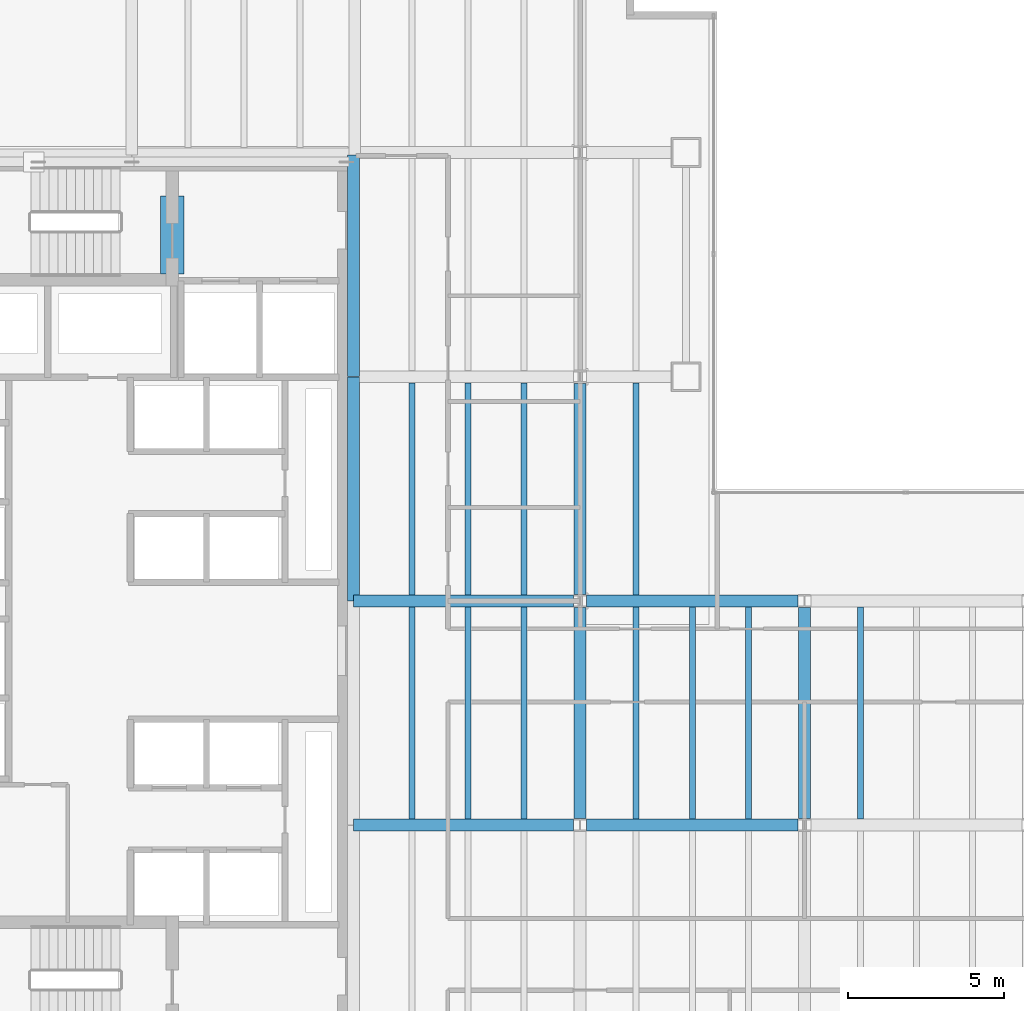
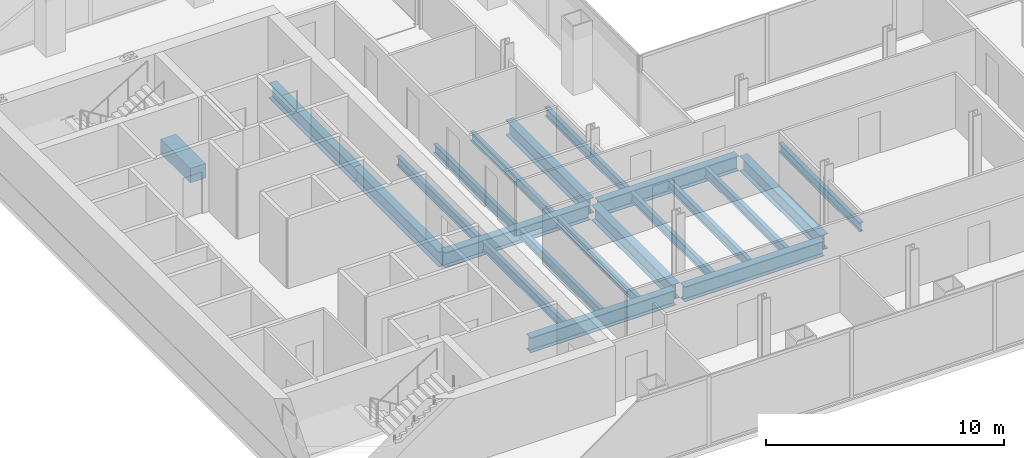
# One storey, part 6 of 23: 21 beams.
"""IFC4 building model written with IfcOpenShell, lengths in metres."""

import ifcopenshell
import ifcopenshell.guid

model = None  # the IFC model being written
_history = None  # IfcOwnerHistory: only IFC2X3 demands one
_inside = {}  # id of a spatial element -> (the spatial element, [elements in it])
_under = {}  # id of a project, library or spatial element -> (it, [spatial elements below it])
_declared = {}  # id of a project -> (the project, [libraries it declares])
_typed = {}  # id of a type object -> (the type object, [elements of that type])
_made_of = {}  # id of a material, layer set ... -> (it, [elements and type objects made of it])


def new_model(schema):
    """Start an empty IFC model of exactly this schema.

    Asked for "IFC4X3", IfcOpenShell would pick the latest addendum, in which some entities
    have other attributes; the version numbers below select the first issue.
    IFC2X3 requires an IfcOwnerHistory on every rooted entity: one is made here for all.
    """
    global model, _history
    if schema == "IFC4X3":
        model = ifcopenshell.file(schema_version=(4, 3, 0, 0))
    else:
        model = ifcopenshell.file(schema=schema)
    _inside.clear()
    _under.clear()
    _declared.clear()
    _typed.clear()
    _made_of.clear()
    _history = None
    if model.schema == "IFC2X3":
        org = make("IfcOrganization", Name="unknown")
        user = make(
            "IfcPersonAndOrganization",
            ThePerson=make("IfcPerson", FamilyName="unknown"),
            TheOrganization=org,
        )
        app = make(
            "IfcApplication",
            ApplicationDeveloper=org,
            Version="unknown",
            ApplicationFullName="unknown",
            ApplicationIdentifier="unknown",
        )
        _history = make(
            "IfcOwnerHistory",
            OwningUser=user,
            OwningApplication=app,
            ChangeAction="ADDED",
            CreationDate=0,
        )
    return model


def make(cls, **values):
    """One entity of the class cls with the attributes given. An attribute that is None is left unset."""
    return model.create_entity(
        cls, **{name: value for name, value in values.items() if value is not None}
    )


def rooted(cls, **values):
    """An entity with a GlobalId (a new one), such as an element, a storey or a relation."""
    return make(cls, GlobalId=ifcopenshell.guid.new(), OwnerHistory=_history, **values)


def si_unit(unit_type, name, prefix=None):
    """IfcSIUnit, for example si_unit("LENGTHUNIT", "METRE", prefix="MILLI")."""
    return make("IfcSIUnit", UnitType=unit_type, Prefix=prefix, Name=name)


def assignment(units):
    """IfcUnitAssignment: the units of a project."""
    return None if units is None else make("IfcUnitAssignment", Units=units)


def point(xyz):
    """IfcCartesianPoint."""
    return None if xyz is None else make("IfcCartesianPoint", Coordinates=xyz)


def direction(xyz):
    """IfcDirection."""
    return None if xyz is None else make("IfcDirection", DirectionRatios=xyz)


def frame(location, z_axis=None, x_axis=None):
    """IfcAxis2Placement3D, a coordinate frame: its origin and axes. An axis left out is left unset."""
    return make(
        "IfcAxis2Placement3D",
        Location=point(location),
        Axis=direction(z_axis),
        RefDirection=direction(x_axis),
    )


def frame_2d(location, x_axis=None):
    """IfcAxis2Placement2D, a coordinate frame in the plane: its origin and x axis."""
    return make(
        "IfcAxis2Placement2D", Location=point(location), RefDirection=direction(x_axis)
    )


def origin():
    """The frame at (0, 0, 0) with its axes left unset."""
    return frame((0.0, 0.0, 0.0))


def origin_2d():
    """The frame at (0, 0) in the plane with its x axis left unset."""
    return frame_2d((0.0, 0.0))


def place(relative_to, where):
    """IfcLocalPlacement: puts the frame where relative to a parent placement (None: the world)."""
    return make(
        "IfcLocalPlacement", PlacementRelTo=relative_to, RelativePlacement=where
    )


def context(
    kind, dimensions, precision=None, world=None, true_north=None, identifier=None
):
    """IfcGeometricRepresentationContext, for example the 3D "Model" context."""
    return make(
        "IfcGeometricRepresentationContext",
        ContextIdentifier=identifier,
        ContextType=kind,
        CoordinateSpaceDimension=dimensions,
        Precision=precision,
        WorldCoordinateSystem=world,
        TrueNorth=true_north,
    )


def subcontext(parent, identifier, kind, view, scale=None):
    """IfcGeometricRepresentationSubContext, for example "Body" below "Model"."""
    return make(
        "IfcGeometricRepresentationSubContext",
        ContextIdentifier=identifier,
        ContextType=kind,
        ParentContext=parent,
        TargetScale=scale,
        TargetView=view,
    )


def project(units=None, contexts=None):
    """IfcProject with its units and contexts."""
    return rooted(
        "IfcProject",
        Name="project",
        RepresentationContexts=contexts,
        UnitsInContext=assignment(units),
    )


def spatial(cls, under=None, at=None, **own):
    """A site, building, storey or space (cls), placed at a placement, below another one or the project."""
    s = rooted(cls, ObjectPlacement=at, **own)
    if under is not None:
        _under.setdefault(under.id(), (under, []))[1].append(s)
    return s


def profile(cls, at=None, kind="AREA", **sizes):
    """A parametric profile (cls). Its sizes go by their IFC names, for example OverallWidth=200.0."""
    return make(cls, ProfileType=kind, Position=at, **sizes)


def rectangle(**sizes):
    """IfcRectangleProfileDef."""
    return profile("IfcRectangleProfileDef", **sizes)


def i_section(**sizes):
    """IfcIShapeProfileDef."""
    return profile("IfcIShapeProfileDef", **sizes)


def extrude(swept, where, along, depth):
    """IfcExtrudedAreaSolid: the profile swept, set in the frame where, extruded along a direction by depth."""
    return make(
        "IfcExtrudedAreaSolid",
        SweptArea=swept,
        Position=where,
        ExtrudedDirection=direction(along),
        Depth=depth,
    )


def shape(context_of_items, identifier, shape_type, items):
    """IfcShapeRepresentation: the items that make up one representation, for example the "Body"."""
    return make(
        "IfcShapeRepresentation",
        ContextOfItems=context_of_items,
        RepresentationIdentifier=identifier,
        RepresentationType=shape_type,
        Items=items,
    )


def material(Name=None, Category=None):
    """IfcMaterial."""
    return make("IfcMaterial", Name=Name, Category=Category)


def material_profile(
    of_material, cross_section, Name=None, Category=None, Priority=None
):
    """IfcMaterialProfile: a cross section and its material."""
    return make(
        "IfcMaterialProfile",
        Name=Name,
        Material=of_material,
        Profile=cross_section,
        Priority=Priority,
        Category=Category,
    )


def profile_set(profiles, Name=None, composite=None):
    """IfcMaterialProfileSet."""
    return make(
        "IfcMaterialProfileSet",
        Name=Name,
        MaterialProfiles=profiles,
        CompositeProfile=composite,
    )


def made_of(thing, what):
    """Note that an element or type object is made of a material, layer set ...; save() writes the relation."""
    if what is not None:
        _made_of.setdefault(what.id(), (what, []))[1].append(thing)
    return thing


def type_object(cls, material=None, **own):
    """A type object (cls), such as IfcWallType, which elements share."""
    return made_of(rooted(cls, **own), material)


def element(
    cls,
    number,
    at=None,
    inside=None,
    cuts=None,
    type_object=None,
    material=None,
    context=None,
    identifier="Body",
    shape_type=None,
    held_by="IfcProductDefinitionShape",
    body=None,
    shapes=None,
    **own,
):
    """One element of the class cls, such as IfcWall. Its Tag is "e" and its number.

    at: its placement. inside: the storey or other place that contains it. cuts: it is an
    opening in that element (IfcRelVoidsElement). A single representation is given by context,
    identifier, shape_type and body (its items); several are given by shapes. held_by: the class
    of the entity that holds the representations. save() writes the other relations.
    """
    e = rooted(cls, Tag="e%d" % number, ObjectPlacement=at, **own)
    if body is not None:
        shapes = [shape(context, identifier, shape_type, body)]
    if shapes is not None:
        e.Representation = make(held_by, Representations=shapes)
    if inside is not None:
        _inside.setdefault(inside.id(), (inside, []))[1].append(e)
    if cuts is not None:
        rooted(
            "IfcRelVoidsElement", RelatingBuildingElement=cuts, RelatedOpeningElement=e
        )
    if type_object is not None:
        _typed.setdefault(type_object.id(), (type_object, []))[1].append(e)
    return made_of(e, material)


def aggregate(whole, parts):
    """IfcRelAggregates: a whole, such as a stair, and the parts it consists of."""
    return rooted("IfcRelAggregates", RelatingObject=whole, RelatedObjects=parts)


def save(model, path):
    """Write the relations noted so far, then the file.

    IfcRelAggregates (storeys below a building ...), IfcRelContainedInSpatialStructure (elements
    in a storey), IfcRelDefinesByType, IfcRelAssociatesMaterial and IfcRelDeclares: one each for
    every whole, place, type object, material and project.
    """
    for whole, parts in _under.values():
        aggregate(whole, parts)
    for where, things in _inside.values():
        rooted(
            "IfcRelContainedInSpatialStructure",
            RelatedElements=things,
            RelatingStructure=where,
        )
    for kind, things in _typed.values():
        rooted("IfcRelDefinesByType", RelatedObjects=things, RelatingType=kind)
    for what, things in _made_of.values():
        rooted("IfcRelAssociatesMaterial", RelatedObjects=things, RelatingMaterial=what)
    for by, libraries in _declared.values():
        rooted("IfcRelDeclares", RelatingContext=by, RelatedDefinitions=libraries)
    model.write(path)


model = new_model("IFC4")

# Units and contexts
model_context = context("Model", 3, precision=1e-05, world=origin(), true_north=direction((0.0, 1.0)))
body_context = subcontext(model_context, "Body", "Model", "MODEL_VIEW")
ifc_project = project(units=[si_unit("LENGTHUNIT", "METRE"), si_unit("AREAUNIT", "SQUARE_METRE"), si_unit("VOLUMEUNIT", "CUBIC_METRE"), si_unit("PLANEANGLEUNIT", "RADIAN"), si_unit("MASSUNIT", "GRAM", prefix="KILO")], contexts=[model_context])

# Site, building, storey
site_placement = place(None, origin())
site = spatial("IfcSite", under=ifc_project, at=site_placement, CompositionType="ELEMENT")
building_placement = place(site_placement, origin())
building = spatial("IfcBuilding", under=site, at=building_placement, Name="Cobrela Telecom Tower", CompositionType="ELEMENT")
storey_placement = place(building_placement, frame((0.0, 0.0, 102.199951171875)))
storey = spatial("IfcBuildingStorey", under=building, at=storey_placement, Name="L25", CompositionType="ELEMENT", Elevation=102.199951171875)

# Beams
ifc_material_1 = material(Name="Concrete C40/50", Category="concrete")
ifc_material_profile_1 = material_profile(ifc_material_1, rectangle(XDim=0.75, YDim=0.75, at=origin_2d()), Name="RC 750x750")
ifc_profile_set_1 = profile_set([ifc_material_profile_1], Name="Concrete C40/50")
beam_type_1 = type_object("IfcBeamType", Name="BM-COUP-RC", PredefinedType="LINTEL", material=ifc_profile_set_1)
beam_1_placement = place(storey_placement, frame((8.5, 32.10009765625, -0.619873046875), z_axis=(0.0, 1.0, 0.0), x_axis=(-1.0, 0.0, 0.0)))
element("IfcBeam", 1, at=beam_1_placement, inside=storey, type_object=beam_type_1, Name="L25 Core Coupling Lintel Beam", PredefinedType="LINTEL", context=body_context, shape_type="SweptSolid", body=[
    extrude(rectangle(XDim=0.75, YDim=0.75, at=origin_2d()), origin(), (0.0, 0.0, 1.0), 2.5),
])
ifc_material_2 = material(Name="Steel ASTM A992 Grade 50", Category="steel")
ifc_material_profile_2 = material_profile(ifc_material_2, i_section(OverallWidth=0.381103515625, OverallDepth=0.77197265625, WebThickness=0.0166015625, FlangeThickness=0.027099609375, FilletRadius=0.01904296875, at=origin_2d()), Name="W30X173")
ifc_profile_set_2 = profile_set([ifc_material_profile_2], Name="Steel ASTM A992 Grade 50")
beam_type_2 = type_object("IfcBeamType", Name="BM-GIRD-04", PredefinedType="USERDEFINED", material=ifc_profile_set_2)
beam_2_placement = place(storey_placement, frame((14.324951171875, 14.39990234375, -0.656005859375), z_axis=(1.0, 0.0, 0.0), x_axis=(0.0, 1.0, 0.0)))
element("IfcBeam", 2, at=beam_2_placement, inside=storey, type_object=beam_type_2, Name="L25 Primary Girder X13", ObjectType="GIRDER", PredefinedType="USERDEFINED", context=body_context, shape_type="SweptSolid", body=[
    extrude(i_section(OverallWidth=0.381103515625, OverallDepth=0.77197265625, WebThickness=0.0166015625, FlangeThickness=0.027099609375, FilletRadius=0.01904296875, at=origin_2d()), origin(), (0.0, 0.0, 1.0), 7.0654296875),
])
beam_3_placement = place(storey_placement, frame((21.8095703125, 14.39990234375, -0.656005859375), z_axis=(1.0, 0.0, 0.0), x_axis=(0.0, 1.0, 0.0)))
element("IfcBeam", 3, at=beam_3_placement, inside=storey, type_object=beam_type_2, Name="L25 Primary Girder X14", ObjectType="GIRDER", PredefinedType="USERDEFINED", context=body_context, shape_type="SweptSolid", body=[
    extrude(i_section(OverallWidth=0.381103515625, OverallDepth=0.77197265625, WebThickness=0.0166015625, FlangeThickness=0.027099609375, FilletRadius=0.01904296875, at=origin_2d()), origin(), (0.0, 0.0, 1.0), 6.781005859375),
])
beam_4_placement = place(storey_placement, frame((14.324951171875, 21.60009765625, -0.656005859375), z_axis=(1.0, 0.0, 0.0), x_axis=(0.0, 1.0, 0.0)))
element("IfcBeam", 4, at=beam_4_placement, inside=storey, type_object=beam_type_2, Name="L25 Primary Girder X18", ObjectType="GIRDER", PredefinedType="USERDEFINED", context=body_context, shape_type="SweptSolid", body=[
    extrude(i_section(OverallWidth=0.381103515625, OverallDepth=0.77197265625, WebThickness=0.0166015625, FlangeThickness=0.027099609375, FilletRadius=0.01904296875, at=origin_2d()), origin(), (0.0, 0.0, 1.0), 7.0654296875),
])
beam_5_placement = place(storey_placement, frame((21.8095703125, 21.60009765625, -0.656005859375), z_axis=(1.0, 0.0, 0.0), x_axis=(0.0, 1.0, 0.0)))
element("IfcBeam", 5, at=beam_5_placement, inside=storey, type_object=beam_type_2, Name="L25 Primary Girder X19", ObjectType="GIRDER", PredefinedType="USERDEFINED", context=body_context, shape_type="SweptSolid", body=[
    extrude(i_section(OverallWidth=0.381103515625, OverallDepth=0.77197265625, WebThickness=0.0166015625, FlangeThickness=0.027099609375, FilletRadius=0.01904296875, at=origin_2d()), origin(), (0.0, 0.0, 1.0), 6.781005859375),
])
beam_6_placement = place(storey_placement, frame((14.320068359375, 21.60498046875, -0.656005859375), z_axis=(0.0, 1.0, 0.0), x_axis=(-1.0, 0.0, 0.0)))
element("IfcBeam", 6, at=beam_6_placement, inside=storey, type_object=beam_type_2, Name="L25 Primary Girder Y36", ObjectType="GIRDER", PredefinedType="USERDEFINED", context=body_context, shape_type="SweptSolid", body=[
    extrude(i_section(OverallWidth=0.381103515625, OverallDepth=0.77197265625, WebThickness=0.0166015625, FlangeThickness=0.027099609375, FilletRadius=0.01904296875, at=origin_2d()), origin(), (0.0, 0.0, 1.0), 7.18994140625),
])
beam_7_placement = place(storey_placement, frame((14.320068359375, 28.804931640625, -0.656005859375), z_axis=(0.0, 1.0, 0.0), x_axis=(-1.0, 0.0, 0.0)))
element("IfcBeam", 7, at=beam_7_placement, inside=storey, type_object=beam_type_2, Name="L25 Primary Girder Y37", ObjectType="GIRDER", PredefinedType="USERDEFINED", context=body_context, shape_type="SweptSolid", body=[
    extrude(i_section(OverallWidth=0.381103515625, OverallDepth=0.77197265625, WebThickness=0.0166015625, FlangeThickness=0.027099609375, FilletRadius=0.01904296875, at=origin_2d()), origin(), (0.0, 0.0, 1.0), 7.110107421875),
])
beam_8_placement = place(storey_placement, frame((21.60009765625, 14.609619140625, -0.656005859375), z_axis=(0.0, 1.0, 0.0), x_axis=(-1.0, 0.0, 0.0)))
element("IfcBeam", 8, at=beam_8_placement, inside=storey, type_object=beam_type_2, Name="L25 Primary Girder Y41", ObjectType="GIRDER", PredefinedType="USERDEFINED", context=body_context, shape_type="SweptSolid", body=[
    extrude(i_section(OverallWidth=0.381103515625, OverallDepth=0.77197265625, WebThickness=0.0166015625, FlangeThickness=0.027099609375, FilletRadius=0.01904296875, at=origin_2d()), origin(), (0.0, 0.0, 1.0), 6.78076171875),
])
beam_9_placement = place(storey_placement, frame((21.60009765625, 21.8095703125, -0.656005859375), z_axis=(0.0, 1.0, 0.0), x_axis=(-1.0, 0.0, 0.0)))
element("IfcBeam", 9, at=beam_9_placement, inside=storey, type_object=beam_type_2, Name="L25 Primary Girder Y42", ObjectType="GIRDER", PredefinedType="USERDEFINED", context=body_context, shape_type="SweptSolid", body=[
    extrude(i_section(OverallWidth=0.381103515625, OverallDepth=0.77197265625, WebThickness=0.0166015625, FlangeThickness=0.027099609375, FilletRadius=0.01904296875, at=origin_2d()), origin(), (0.0, 0.0, 1.0), 6.781005859375),
])
beam_10_placement = place(storey_placement, frame((28.800048828125, 14.609619140625, -0.656005859375), z_axis=(0.0, 1.0, 0.0), x_axis=(-1.0, 0.0, 0.0)))
element("IfcBeam", 10, at=beam_10_placement, inside=storey, type_object=beam_type_2, Name="L25 Primary Girder Y48", ObjectType="GIRDER", PredefinedType="USERDEFINED", context=body_context, shape_type="SweptSolid", body=[
    extrude(i_section(OverallWidth=0.381103515625, OverallDepth=0.77197265625, WebThickness=0.0166015625, FlangeThickness=0.027099609375, FilletRadius=0.01904296875, at=origin_2d()), origin(), (0.0, 0.0, 1.0), 6.78076171875),
])
ifc_material_profile_3 = material_profile(ifc_material_2, i_section(OverallWidth=0.193115234375, OverallDepth=0.467041015625, WebThickness=0.011474609375, FlangeThickness=0.01904296875, FilletRadius=0.012939453125, at=origin_2d()), Name="W18X65")
ifc_profile_set_3 = profile_set([ifc_material_profile_3], Name="Steel ASTM A992 Grade 50")
beam_type_3 = type_object("IfcBeamType", Name="BM-JOIST-03", PredefinedType="JOIST", material=ifc_profile_set_3)
for number, where, z_axis, x_axis, name in (
    (11, (16.199951171875, 14.595458984375, -0.50341796875), (0.0, 1.0, 0.0), (-1.0, 0.0, 0.0), "L25 Secondary Composite Floor Beam J05"),
    (12, (16.199951171875, 21.79541015625, -0.50341796875), (0.0, 1.0, 0.0), (-1.0, 0.0, 0.0), "L25 Secondary Composite Floor Beam J06"),
    (13, (18.0, 14.595458984375, -0.50341796875), (0.0, 1.0, 0.0), (-1.0, 0.0, 0.0), "L25 Secondary Composite Floor Beam J10"),
    (14, (18.0, 21.79541015625, -0.50341796875), (0.0, 1.0, 0.0), (-1.0, 0.0, 0.0), "L25 Secondary Composite Floor Beam J11"),
    (15, (19.800048828125, 14.595458984375, -0.50341796875), (0.0, 1.0, 0.0), (-1.0, 0.0, 0.0), "L25 Secondary Composite Floor Beam J15"),
    (16, (19.800048828125, 21.79541015625, -0.50341796875), (0.0, 1.0, 0.0), (-1.0, 0.0, 0.0), "L25 Secondary Composite Floor Beam J16"),
    (17, (23.39990234375, 14.595458984375, -0.50341796875), (0.0, 1.0, 0.0), (-1.0, 0.0, 0.0), "L25 Secondary Composite Floor Beam J20"),
    (18, (23.39990234375, 21.79541015625, -0.50341796875), (0.0, 1.0, 0.0), (-1.0, 0.0, 0.0), "L25 Secondary Composite Floor Beam J21"),
    (19, (25.199951171875, 14.595458984375, -0.50341796875), (0.0, 1.0, 0.0), (-1.0, 0.0, 0.0), "L25 Secondary Composite Floor Beam J24"),
    (20, (27.0, 14.595458984375, -0.50341796875), (0.0, 1.0, 0.0), (-1.0, 0.0, 0.0), "L25 Secondary Composite Floor Beam J26"),
    (21, (30.60009765625, 14.595458984375, -0.50341796875), (0.0, 1.0, 0.0), (-1.0, 0.0, 0.0), "L25 Secondary Composite Floor Beam J28"),
):
    element("IfcBeam", number, at=place(storey_placement, frame(where, z_axis=z_axis, x_axis=x_axis)), inside=storey, type_object=beam_type_3, Name=name, PredefinedType="JOIST", context=body_context, shape_type="SweptSolid", body=[
        extrude(i_section(OverallWidth=0.193115234375, OverallDepth=0.467041015625, WebThickness=0.011474609375, FlangeThickness=0.01904296875, FilletRadius=0.012939453125, at=origin_2d()), origin(), (0.0, 0.0, 1.0), 6.80908203125),
    ])

save(model, "model.ifc")
